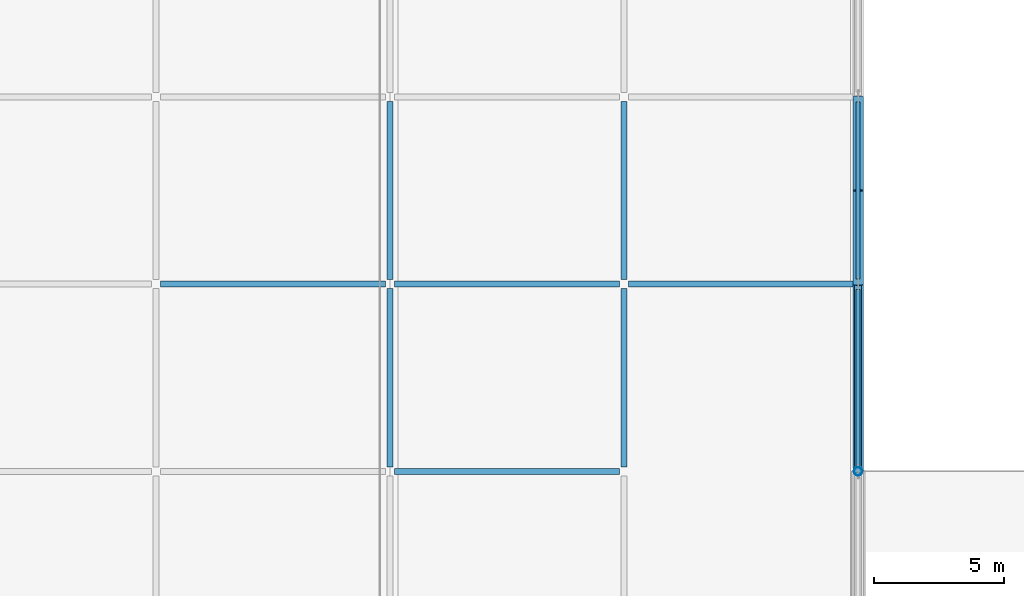
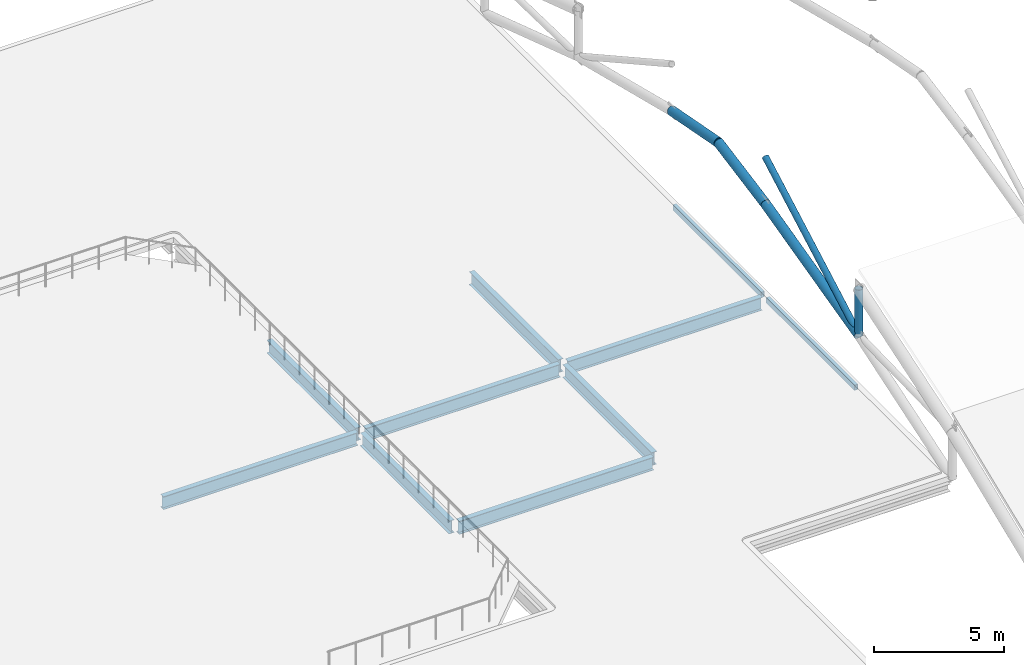
# One storey, part 45 of 78: 10 beams, 5 members.
"""IFC4 building model written with IfcOpenShell, lengths in metres."""

from ifc_helpers import new_model, si_unit, direction, frame, origin, origin_2d, place, context, subcontext, project, spatial, hollow_rectangle, hollow_circle, i_section, extrude, material, material_profile, profile_set, type_object, element, save


model = new_model("IFC4")

# Units and contexts
model_context = context("Model", 3, precision=1e-05, world=origin(), true_north=direction((0.0, 1.0)))
body_context = subcontext(model_context, "Body", "Model", "MODEL_VIEW")
ifc_project = project(units=[si_unit("LENGTHUNIT", "METRE"), si_unit("AREAUNIT", "SQUARE_METRE"), si_unit("VOLUMEUNIT", "CUBIC_METRE"), si_unit("PLANEANGLEUNIT", "RADIAN"), si_unit("MASSUNIT", "GRAM", prefix="KILO")], contexts=[model_context])

# Site, building, storey
site_placement = place(None, origin())
site = spatial("IfcSite", under=ifc_project, at=site_placement, CompositionType="ELEMENT")
building_placement = place(site_placement, origin())
building = spatial("IfcBuilding", under=site, at=building_placement, Name="Celestram Park Convention Centre", CompositionType="ELEMENT")
storey_placement = place(building_placement, frame((0.0, 0.0, 19.800048828125)))
storey = spatial("IfcBuildingStorey", under=building, at=storey_placement, Name="L04", CompositionType="ELEMENT", Elevation=19.800048828125)

# Beams
ifc_material_1 = material(Name="Steel ASTM A992 Grade 50", Category="steel")
ifc_material_profile_1 = material_profile(ifc_material_1, i_section(OverallWidth=0.22900390625, OverallDepth=0.612060546875, WebThickness=0.011962890625, FlangeThickness=0.01953125, at=origin_2d()), Name="W24X84")
ifc_profile_set_1 = profile_set([ifc_material_profile_1], Name="Steel ASTM A992 Grade 50")
beam_type_1 = type_object("IfcBeamType", Name="STR-BM-W24X84", PredefinedType="BEAM", material=ifc_profile_set_1)
for number, where, z_axis, x_axis, name in (
    (1, (126.173095703125, 136.800048828125, -0.60595703125), (1.0, 0.0, 0.0), (0.0, 1.0, 0.0), "Primary X-girder BG-L04-0170"),
    (2, (135.173095703125, 129.60009765625, -0.546142578125), (1.0, 0.0, 0.0), (0.0, 1.0, 0.0), "Primary X-girder BG-L04-0199"),
):
    element("IfcBeam", number, at=place(storey_placement, frame(where, z_axis=z_axis, x_axis=x_axis)), inside=storey, type_object=beam_type_1, Name=name, PredefinedType="BEAM", context=body_context, shape_type="SweptSolid", body=[
        extrude(i_section(OverallWidth=0.22900390625, OverallDepth=0.612060546875, WebThickness=0.011962890625, FlangeThickness=0.01953125, at=origin_2d()), origin(), (0.0, 0.0, 1.0), 8.65380859375),
    ])
beam_1_placement = place(storey_placement, frame((135.0, 129.77294921875, -0.60595703125), z_axis=(0.0, 1.0, 0.0), x_axis=(-1.0, 0.0, 0.0)))
element("IfcBeam", 3, at=beam_1_placement, inside=storey, type_object=beam_type_1, Name="Primary Y-girder BG-L04-0200", PredefinedType="BEAM", context=body_context, shape_type="SweptSolid", body=[
    extrude(i_section(OverallWidth=0.22900390625, OverallDepth=0.612060546875, WebThickness=0.011962890625, FlangeThickness=0.01953125, at=origin_2d()), origin(), (0.0, 0.0, 1.0), 6.85400390625),
])
beam_2_placement = place(storey_placement, frame((135.173095703125, 136.800048828125, -0.546142578125), z_axis=(1.0, 0.0, 0.0), x_axis=(0.0, 1.0, 0.0)))
element("IfcBeam", 4, at=beam_2_placement, inside=storey, type_object=beam_type_1, Name="Primary X-girder BG-L04-0201", PredefinedType="BEAM", context=body_context, shape_type="SweptSolid", body=[
    extrude(i_section(OverallWidth=0.22900390625, OverallDepth=0.612060546875, WebThickness=0.011962890625, FlangeThickness=0.01953125, at=origin_2d()), origin(), (0.0, 0.0, 1.0), 8.65380859375),
])
for number, where, z_axis, x_axis, name in (
    (5, (135.0, 136.972900390625, -0.60595703125), (0.0, 1.0, 0.0), (-1.0, 0.0, 0.0), "Primary Y-girder BG-L04-0202"),
    (6, (144.0, 129.77294921875, -0.546142578125), (0.0, 1.0, 0.0), (-1.0, 0.0, 0.0), "Primary Y-girder BG-L04-0222"),
):
    element("IfcBeam", number, at=place(storey_placement, frame(where, z_axis=z_axis, x_axis=x_axis)), inside=storey, type_object=beam_type_1, Name=name, PredefinedType="BEAM", context=body_context, shape_type="SweptSolid", body=[
        extrude(i_section(OverallWidth=0.22900390625, OverallDepth=0.612060546875, WebThickness=0.011962890625, FlangeThickness=0.01953125, at=origin_2d()), origin(), (0.0, 0.0, 1.0), 6.85400390625),
    ])
beam_3_placement = place(storey_placement, frame((144.173095703125, 136.800048828125, -0.546142578125), z_axis=(1.0, 0.0, 0.0), x_axis=(0.0, 1.0, 0.0)))
element("IfcBeam", 7, at=beam_3_placement, inside=storey, type_object=beam_type_1, Name="Primary X-girder BG-L04-0223", PredefinedType="BEAM", context=body_context, shape_type="SweptSolid", body=[
    extrude(i_section(OverallWidth=0.22900390625, OverallDepth=0.612060546875, WebThickness=0.011962890625, FlangeThickness=0.01953125, at=origin_2d()), origin(), (0.0, 0.0, 1.0), 8.62890625),
])
beam_4_placement = place(storey_placement, frame((144.0, 136.972900390625, -0.546142578125), z_axis=(0.0, 1.0, 0.0), x_axis=(-1.0, 0.0, 0.0)))
element("IfcBeam", 8, at=beam_4_placement, inside=storey, type_object=beam_type_1, Name="Primary Y-girder BG-L04-0224", PredefinedType="BEAM", context=body_context, shape_type="SweptSolid", body=[
    extrude(i_section(OverallWidth=0.22900390625, OverallDepth=0.612060546875, WebThickness=0.011962890625, FlangeThickness=0.01953125, at=origin_2d()), origin(), (0.0, 0.0, 1.0), 6.85400390625),
])

# Members
ifc_material_2 = material(Name="Steel ASTM A500 Grade C", Category="steel")
ifc_material_profile_2 = material_profile(ifc_material_2, hollow_circle(Radius=0.136474609375, WallThickness=0.010009765625, at=origin_2d()), Name="CHS273X10")
ifc_profile_set_2 = profile_set([ifc_material_profile_2], Name="Steel ASTM A500 Grade C")
member_type_1 = type_object("IfcMemberType", Name="STR-BRC-CHS273", PredefinedType="BRACE", material=ifc_profile_set_2)
member_1_placement = place(storey_placement, frame((153.0, 129.60009765625, 2.230712890625), z_axis=(0.0, 0.874218793516, 0.485532183344), x_axis=(-1.0, 0.0, 0.0)))
element("IfcMember", 9, at=member_1_placement, inside=storey, type_object=member_type_1, Name="V2 arch web diagonal", PredefinedType="BRACE", context=body_context, shape_type="SweptSolid", body=[
    extrude(hollow_circle(Radius=0.136474609375, WallThickness=0.010009765625, at=origin_2d()), origin(), (0.0, 0.0, 1.0), 8.23583984375),
])
ifc_material_profile_3 = material_profile(ifc_material_2, hollow_circle(Radius=0.202880859375, WallThickness=0.013916015625, at=origin_2d()), Name="CHS406X14")
ifc_profile_set_3 = profile_set([ifc_material_profile_3], Name="Steel ASTM A500 Grade C")
member_type_2 = type_object("IfcMemberType", Name="STR-CHD-CHS406", PredefinedType="CHORD", material=ifc_profile_set_3)
member_2_placement = place(storey_placement, frame((153.0, 129.60009765625, 2.230712890625), z_axis=(0.0, 0.970179256757, 0.242388551212), x_axis=(-1.0, 0.0, 0.0)))
element("IfcMember", 10, at=member_2_placement, inside=storey, type_object=member_type_2, Name="V2 arch bottom chord", PredefinedType="CHORD", context=body_context, shape_type="SweptSolid", body=[
    extrude(hollow_circle(Radius=0.202880859375, WallThickness=0.013916015625, at=origin_2d()), origin(), (0.0, 0.0, 1.0), 7.421142578125),
])
member_3_placement = place(storey_placement, frame((153.0, 136.800048828125, 4.029541015625), z_axis=(0.0, 0.982406731244, 0.186753887262), x_axis=(-1.0, 0.0, 0.0)))
element("IfcMember", 11, at=member_3_placement, inside=storey, type_object=member_type_2, Name="V2 arch bottom chord", PredefinedType="CHORD", context=body_context, shape_type="SweptSolid", body=[
    extrude(hollow_circle(Radius=0.202880859375, WallThickness=0.013916015625, at=origin_2d()), origin(), (0.0, 0.0, 1.0), 3.664306640625),
])
member_4_placement = place(storey_placement, frame((153.0, 140.39990234375, 4.7138671875), z_axis=(0.0, 0.982409054746, -0.186741664211), x_axis=(-1.0, 0.0, 0.0)))
element("IfcMember", 12, at=member_4_placement, inside=storey, type_object=member_type_2, Name="V2 arch bottom chord", PredefinedType="CHORD", context=body_context, shape_type="SweptSolid", body=[
    extrude(hollow_circle(Radius=0.202880859375, WallThickness=0.013916015625, at=origin_2d()), origin(), (0.0, 0.0, 1.0), 3.66455078125),
])

# Beams
ifc_material_profile_4 = material_profile(ifc_material_2, hollow_rectangle(XDim=0.14990234375, YDim=0.25, WallThickness=0.010009765625, at=origin_2d()), Name="HSS250X150X10")
ifc_profile_set_4 = profile_set([ifc_material_profile_4], Name="Steel ASTM A500 Grade C")
beam_type_2 = type_object("IfcBeamType", Name="STR-SPN-HSS250X150", PredefinedType="SPANDREL", material=ifc_profile_set_4)
for number, where, z_axis, x_axis, name in (
    (13, (153.0, 129.798095703125, -0.364990234375), (0.0, 1.0, 0.0), (-1.0, 0.0, 0.0), "Primary Y-girder BG-L04-0231"),
    (14, (153.0, 136.998046875, -0.364990234375), (0.0, 1.0, 0.0), (-1.0, 0.0, 0.0), "Primary Y-girder BG-L04-0232"),
):
    element("IfcBeam", number, at=place(storey_placement, frame(where, z_axis=z_axis, x_axis=x_axis)), inside=storey, type_object=beam_type_2, Name=name, PredefinedType="SPANDREL", context=body_context, shape_type="SweptSolid", body=[
        extrude(hollow_rectangle(XDim=0.14990234375, YDim=0.25, WallThickness=0.010009765625, at=origin_2d()), origin(), (0.0, 0.0, 1.0), 6.803955078125),
    ])

# Member
ifc_material_profile_5 = material_profile(ifc_material_2, hollow_circle(Radius=0.162109375, WallThickness=0.011962890625, at=origin_2d()), Name="CHS324X12")
ifc_profile_set_5 = profile_set([ifc_material_profile_5], Name="Steel ASTM A500 Grade C")
member_type_3 = type_object("IfcMemberType", Name="STR-STR-CHS324", PredefinedType="STRUT", material=ifc_profile_set_5)
member_5_placement = place(storey_placement, frame((153.0, 129.60009765625, 2.230712890625), z_axis=(0.0, 0.0, 1.0), x_axis=(1.0, 0.0, 0.0)))
element("IfcMember", 15, at=member_5_placement, inside=storey, type_object=member_type_3, Name="V2 arch vertical strut", PredefinedType="STRUT", context=body_context, shape_type="SweptSolid", body=[
    extrude(hollow_circle(Radius=0.162109375, WallThickness=0.011962890625, at=origin_2d()), origin(), (0.0, 0.0, 1.0), 2.199951171875),
])

save(model, "model.ifc")
